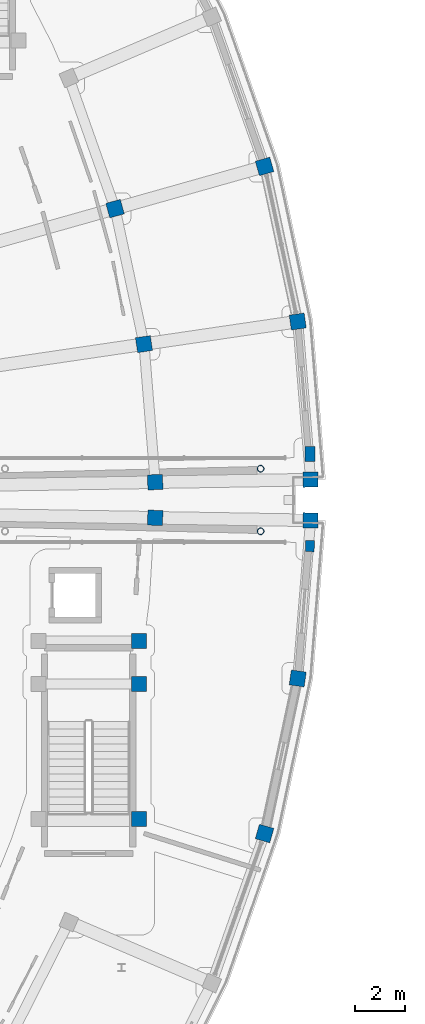
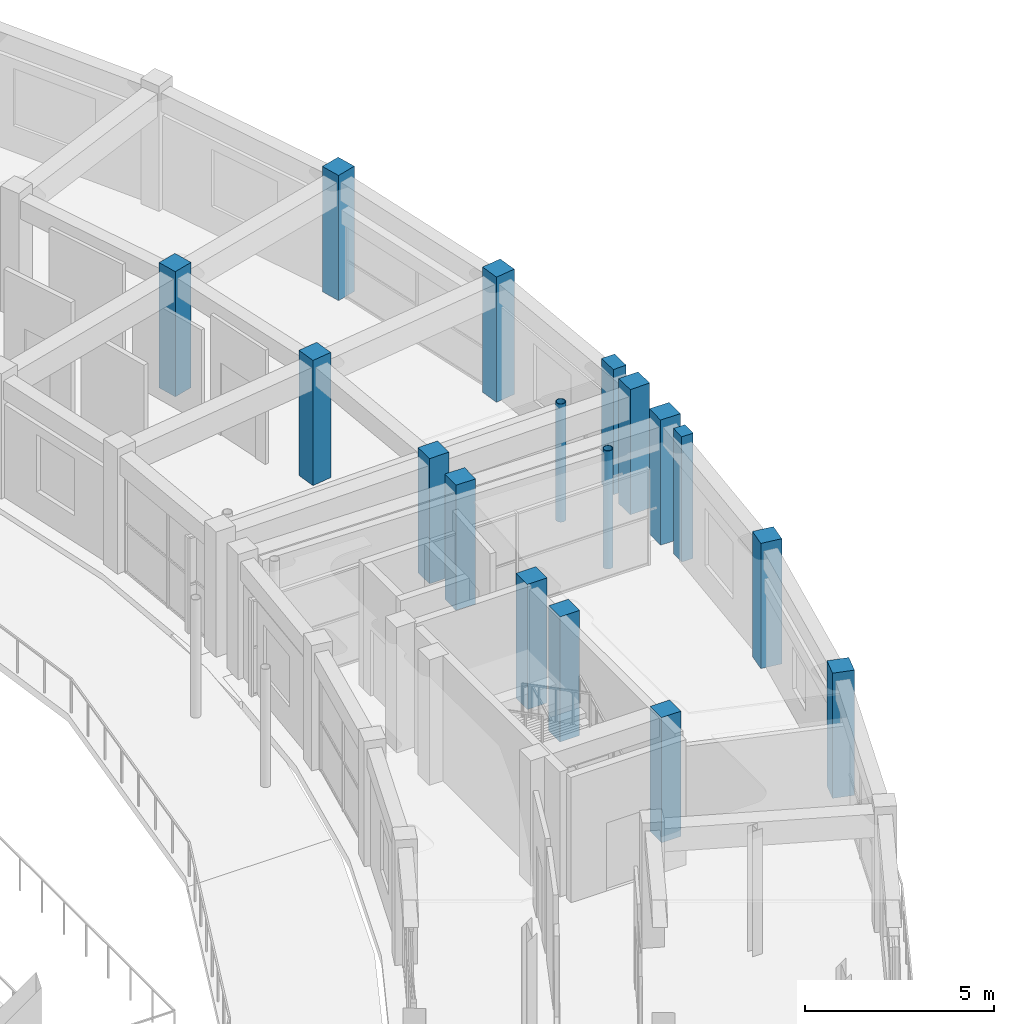
# One storey, part 9 of 83: 17 columns.
"""IFC4 building model written with IfcOpenShell, lengths in metres."""

import ifcopenshell
import ifcopenshell.guid

model = None  # the IFC model being written
_history = None  # IfcOwnerHistory: only IFC2X3 demands one
_inside = {}  # id of a spatial element -> (the spatial element, [elements in it])
_under = {}  # id of a project, library or spatial element -> (it, [spatial elements below it])
_declared = {}  # id of a project -> (the project, [libraries it declares])
_typed = {}  # id of a type object -> (the type object, [elements of that type])
_made_of = {}  # id of a material, layer set ... -> (it, [elements and type objects made of it])


def new_model(schema):
    """Start an empty IFC model of exactly this schema.

    Asked for "IFC4X3", IfcOpenShell would pick the latest addendum, in which some entities
    have other attributes; the version numbers below select the first issue.
    IFC2X3 requires an IfcOwnerHistory on every rooted entity: one is made here for all.
    """
    global model, _history
    if schema == "IFC4X3":
        model = ifcopenshell.file(schema_version=(4, 3, 0, 0))
    else:
        model = ifcopenshell.file(schema=schema)
    _inside.clear()
    _under.clear()
    _declared.clear()
    _typed.clear()
    _made_of.clear()
    _history = None
    if model.schema == "IFC2X3":
        org = make("IfcOrganization", Name="unknown")
        user = make(
            "IfcPersonAndOrganization",
            ThePerson=make("IfcPerson", FamilyName="unknown"),
            TheOrganization=org,
        )
        app = make(
            "IfcApplication",
            ApplicationDeveloper=org,
            Version="unknown",
            ApplicationFullName="unknown",
            ApplicationIdentifier="unknown",
        )
        _history = make(
            "IfcOwnerHistory",
            OwningUser=user,
            OwningApplication=app,
            ChangeAction="ADDED",
            CreationDate=0,
        )
    return model


def make(cls, **values):
    """One entity of the class cls with the attributes given. An attribute that is None is left unset."""
    return model.create_entity(
        cls, **{name: value for name, value in values.items() if value is not None}
    )


def rooted(cls, **values):
    """An entity with a GlobalId (a new one), such as an element, a storey or a relation."""
    return make(cls, GlobalId=ifcopenshell.guid.new(), OwnerHistory=_history, **values)


def si_unit(unit_type, name, prefix=None):
    """IfcSIUnit, for example si_unit("LENGTHUNIT", "METRE", prefix="MILLI")."""
    return make("IfcSIUnit", UnitType=unit_type, Prefix=prefix, Name=name)


def assignment(units):
    """IfcUnitAssignment: the units of a project."""
    return None if units is None else make("IfcUnitAssignment", Units=units)


def point(xyz):
    """IfcCartesianPoint."""
    return None if xyz is None else make("IfcCartesianPoint", Coordinates=xyz)


def direction(xyz):
    """IfcDirection."""
    return None if xyz is None else make("IfcDirection", DirectionRatios=xyz)


def frame(location, z_axis=None, x_axis=None):
    """IfcAxis2Placement3D, a coordinate frame: its origin and axes. An axis left out is left unset."""
    return make(
        "IfcAxis2Placement3D",
        Location=point(location),
        Axis=direction(z_axis),
        RefDirection=direction(x_axis),
    )


def frame_2d(location, x_axis=None):
    """IfcAxis2Placement2D, a coordinate frame in the plane: its origin and x axis."""
    return make(
        "IfcAxis2Placement2D", Location=point(location), RefDirection=direction(x_axis)
    )


def origin():
    """The frame at (0, 0, 0) with its axes left unset."""
    return frame((0.0, 0.0, 0.0))


def origin_2d():
    """The frame at (0, 0) in the plane with its x axis left unset."""
    return frame_2d((0.0, 0.0))


def place(relative_to, where):
    """IfcLocalPlacement: puts the frame where relative to a parent placement (None: the world)."""
    return make(
        "IfcLocalPlacement", PlacementRelTo=relative_to, RelativePlacement=where
    )


def context(
    kind, dimensions, precision=None, world=None, true_north=None, identifier=None
):
    """IfcGeometricRepresentationContext, for example the 3D "Model" context."""
    return make(
        "IfcGeometricRepresentationContext",
        ContextIdentifier=identifier,
        ContextType=kind,
        CoordinateSpaceDimension=dimensions,
        Precision=precision,
        WorldCoordinateSystem=world,
        TrueNorth=true_north,
    )


def subcontext(parent, identifier, kind, view, scale=None):
    """IfcGeometricRepresentationSubContext, for example "Body" below "Model"."""
    return make(
        "IfcGeometricRepresentationSubContext",
        ContextIdentifier=identifier,
        ContextType=kind,
        ParentContext=parent,
        TargetScale=scale,
        TargetView=view,
    )


def project(units=None, contexts=None):
    """IfcProject with its units and contexts."""
    return rooted(
        "IfcProject",
        Name="project",
        RepresentationContexts=contexts,
        UnitsInContext=assignment(units),
    )


def spatial(cls, under=None, at=None, **own):
    """A site, building, storey or space (cls), placed at a placement, below another one or the project."""
    s = rooted(cls, ObjectPlacement=at, **own)
    if under is not None:
        _under.setdefault(under.id(), (under, []))[1].append(s)
    return s


def profile(cls, at=None, kind="AREA", **sizes):
    """A parametric profile (cls). Its sizes go by their IFC names, for example OverallWidth=200.0."""
    return make(cls, ProfileType=kind, Position=at, **sizes)


def rectangle(**sizes):
    """IfcRectangleProfileDef."""
    return profile("IfcRectangleProfileDef", **sizes)


def hollow_circle(**sizes):
    """IfcCircleHollowProfileDef."""
    return profile("IfcCircleHollowProfileDef", **sizes)


def extrude(swept, where, along, depth):
    """IfcExtrudedAreaSolid: the profile swept, set in the frame where, extruded along a direction by depth."""
    return make(
        "IfcExtrudedAreaSolid",
        SweptArea=swept,
        Position=where,
        ExtrudedDirection=direction(along),
        Depth=depth,
    )


def shape(context_of_items, identifier, shape_type, items):
    """IfcShapeRepresentation: the items that make up one representation, for example the "Body"."""
    return make(
        "IfcShapeRepresentation",
        ContextOfItems=context_of_items,
        RepresentationIdentifier=identifier,
        RepresentationType=shape_type,
        Items=items,
    )


def material(Name=None, Category=None):
    """IfcMaterial."""
    return make("IfcMaterial", Name=Name, Category=Category)


def material_profile(
    of_material, cross_section, Name=None, Category=None, Priority=None
):
    """IfcMaterialProfile: a cross section and its material."""
    return make(
        "IfcMaterialProfile",
        Name=Name,
        Material=of_material,
        Profile=cross_section,
        Priority=Priority,
        Category=Category,
    )


def profile_set(profiles, Name=None, composite=None):
    """IfcMaterialProfileSet."""
    return make(
        "IfcMaterialProfileSet",
        Name=Name,
        MaterialProfiles=profiles,
        CompositeProfile=composite,
    )


def made_of(thing, what):
    """Note that an element or type object is made of a material, layer set ...; save() writes the relation."""
    if what is not None:
        _made_of.setdefault(what.id(), (what, []))[1].append(thing)
    return thing


def type_object(cls, material=None, **own):
    """A type object (cls), such as IfcWallType, which elements share."""
    return made_of(rooted(cls, **own), material)


def element(
    cls,
    number,
    at=None,
    inside=None,
    cuts=None,
    type_object=None,
    material=None,
    context=None,
    identifier="Body",
    shape_type=None,
    held_by="IfcProductDefinitionShape",
    body=None,
    shapes=None,
    **own,
):
    """One element of the class cls, such as IfcWall. Its Tag is "e" and its number.

    at: its placement. inside: the storey or other place that contains it. cuts: it is an
    opening in that element (IfcRelVoidsElement). A single representation is given by context,
    identifier, shape_type and body (its items); several are given by shapes. held_by: the class
    of the entity that holds the representations. save() writes the other relations.
    """
    e = rooted(cls, Tag="e%d" % number, ObjectPlacement=at, **own)
    if body is not None:
        shapes = [shape(context, identifier, shape_type, body)]
    if shapes is not None:
        e.Representation = make(held_by, Representations=shapes)
    if inside is not None:
        _inside.setdefault(inside.id(), (inside, []))[1].append(e)
    if cuts is not None:
        rooted(
            "IfcRelVoidsElement", RelatingBuildingElement=cuts, RelatedOpeningElement=e
        )
    if type_object is not None:
        _typed.setdefault(type_object.id(), (type_object, []))[1].append(e)
    return made_of(e, material)


def aggregate(whole, parts):
    """IfcRelAggregates: a whole, such as a stair, and the parts it consists of."""
    return rooted("IfcRelAggregates", RelatingObject=whole, RelatedObjects=parts)


def save(model, path):
    """Write the relations noted so far, then the file.

    IfcRelAggregates (storeys below a building ...), IfcRelContainedInSpatialStructure (elements
    in a storey), IfcRelDefinesByType, IfcRelAssociatesMaterial and IfcRelDeclares: one each for
    every whole, place, type object, material and project.
    """
    for whole, parts in _under.values():
        aggregate(whole, parts)
    for where, things in _inside.values():
        rooted(
            "IfcRelContainedInSpatialStructure",
            RelatedElements=things,
            RelatingStructure=where,
        )
    for kind, things in _typed.values():
        rooted("IfcRelDefinesByType", RelatedObjects=things, RelatingType=kind)
    for what, things in _made_of.values():
        rooted("IfcRelAssociatesMaterial", RelatedObjects=things, RelatingMaterial=what)
    for by, libraries in _declared.values():
        rooted("IfcRelDeclares", RelatingContext=by, RelatedDefinitions=libraries)
    model.write(path)


model = new_model("IFC4")

# Units and contexts
model_context = context("Model", 3, precision=1e-05, world=origin(), true_north=direction((0.0, 1.0)))
body_context = subcontext(model_context, "Body", "Model", "MODEL_VIEW")
ifc_project = project(units=[si_unit("LENGTHUNIT", "METRE"), si_unit("AREAUNIT", "SQUARE_METRE"), si_unit("VOLUMEUNIT", "CUBIC_METRE"), si_unit("PLANEANGLEUNIT", "RADIAN"), si_unit("MASSUNIT", "GRAM", prefix="KILO")], contexts=[model_context])

# Site, building, storey
site_placement = place(None, origin())
site = spatial("IfcSite", under=ifc_project, at=site_placement, CompositionType="ELEMENT")
building_placement = place(site_placement, origin())
building = spatial("IfcBuilding", under=site, at=building_placement, Name="Saryqyr Civic Hall", CompositionType="ELEMENT")
storey_placement = place(building_placement, frame((0.0, 0.0, 9.14990234375)))
storey = spatial("IfcBuildingStorey", under=building, at=storey_placement, Name="L02", CompositionType="ELEMENT", Elevation=9.14990234375)

# Columns
ifc_material_1 = material(Name="Steel S355", Category="steel")
ifc_material_profile_1 = material_profile(ifc_material_1, hollow_circle(Radius=0.136474609375, WallThickness=0.01611328125, at=origin_2d()), Name="CHS 273x16")
ifc_profile_set_1 = profile_set([ifc_material_profile_1], Name="Steel S355")
column_type_1 = type_object("IfcColumnType", Name="STR-COL-CHS273-S355", PredefinedType="COLUMN", material=ifc_profile_set_1)
for number, where, z_axis, x_axis, name in (
    (1, (104.0, 82.75, 0.0), (0.0, 0.0, 1.0), (1.0, 0.0, 0.0), "Column BRCOL-BR-E-2-L02"),
    (2, (104.0, 85.25, 0.0), (0.0, 0.0, 1.0), (1.0, 0.0, 0.0), "Column BRCOL-BR-E-3-L02"),
):
    element("IfcColumn", number, at=place(storey_placement, frame(where, z_axis=z_axis, x_axis=x_axis)), inside=storey, type_object=column_type_1, Name=name, PredefinedType="COLUMN", context=body_context, shape_type="SweptSolid", body=[
        extrude(hollow_circle(Radius=0.136474609375, WallThickness=0.01611328125, at=origin_2d()), origin(), (0.0, 0.0, 1.0), 3.820068359375),
    ])
ifc_material_2 = material(Name="Concrete C40/50", Category="concrete")
ifc_material_profile_2 = material_profile(ifc_material_2, rectangle(XDim=0.60009765625, YDim=0.60009765625, at=origin_2d()), Name="RC 600x600")
ifc_profile_set_2 = profile_set([ifc_material_profile_2], Name="Concrete C40/50")
column_type_2 = type_object("IfcColumnType", Name="STR-COL-RC600-C40", PredefinedType="COLUMN", material=ifc_profile_set_2)
for number, where, z_axis, x_axis, name in (
    (3, (104.157958984375, 70.691162109375, 0.0), (0.0, 0.0, 1.0), (0.962407846499, -0.271608425858, 0.0), "Column V5-COL-OUT08-L02"),
    (4, (105.47998046875, 76.8798828125, 0.0), (0.0, 0.0, 1.0), (0.989374077068, -0.145392350643, 0.0), "Column V5-COL-OUT09-L02"),
    (5, (99.794189453125, 83.290283203125, 0.0), (0.0, 0.0, 1.0), (0.999862544538, -0.016579868188, 0.0), "Column V5-COL-MID10-L02"),
    (6, (105.993408203125, 83.1875, 0.0), (0.0, 0.0, 1.0), (0.999862544538, -0.016579868188, 0.0), "Column V5-COL-OUT10-L02"),
    (7, (99.794189453125, 84.709716796875, 0.0), (0.0, 0.0, 1.0), (0.999862544538, 0.016579868188, 0.0), "Column V6-COL-MID00-L02"),
    (8, (105.993408203125, 84.8125, 0.0), (0.0, 0.0, 1.0), (0.999862544538, 0.016579868188, 0.0), "Column V6-COL-OUT00-L02"),
    (9, (99.345703125, 90.218994140625, 0.0), (0.0, 0.0, 1.0), (0.989399437751, 0.145219670077, 0.0), "Column V6-COL-MID01-L02"),
    (10, (105.47998046875, 91.1201171875, 0.0), (0.0, 0.0, 1.0), (0.989399437751, 0.145219670077, 0.0), "Column V6-COL-OUT01-L02"),
    (11, (98.191162109375, 95.624755859375, 0.0), (0.0, 0.0, 1.0), (0.962407846499, 0.271608425858, 0.0), "Column V6-COL-MID02-L02"),
    (12, (104.157958984375, 97.308837890625, 0.0), (0.0, 0.0, 1.0), (0.962407846499, 0.271608425858, 0.0), "Column V6-COL-OUT02-L02"),
    (13, (99.139892578125, 71.27490234375, 0.0), (0.0, 0.0, 1.0), (1.0, 0.0, 0.0), "Column ST-5-SCOL-TRMA-L02"),
    (14, (99.139892578125, 76.64990234375, 0.0), (0.0, 0.0, 1.0), (1.0, 0.0, 0.0), "Column ST-5-SCOL-LND1A-L02"),
    (15, (99.139892578125, 78.3798828125, 0.0), (0.0, 0.0, 1.0), (1.0, 0.0, 0.0), "Column ST-5-SCOL-LND2A-L02"),
):
    element("IfcColumn", number, at=place(storey_placement, frame(where, z_axis=z_axis, x_axis=x_axis)), inside=storey, type_object=column_type_2, Name=name, PredefinedType="COLUMN", context=body_context, shape_type="SweptSolid", body=[
        extrude(rectangle(XDim=0.60009765625, YDim=0.60009765625, at=origin_2d()), origin(), (0.0, 0.0, 1.0), 4.050048828125),
    ])
ifc_material_3 = material(Name="Concrete C35/45", Category="concrete")
ifc_material_profile_3 = material_profile(ifc_material_3, rectangle(XDim=0.35009765625, YDim=0.449951171875, at=origin_2d()), Name="RC 350x450")
ifc_profile_set_3 = profile_set([ifc_material_profile_3], Name="Concrete C35/45")
column_type_3 = type_object("IfcColumnType", Name="STR-PIL-RC350x450-EXT", PredefinedType="PILASTER", material=ifc_profile_set_3)
column_1_placement = place(storey_placement, frame((105.965576171875, 82.16162109375, 0.0), z_axis=(0.0, 0.0, 1.0), x_axis=(0.999862544538, -0.016579868188, 0.0)))
element("IfcColumn", 16, at=column_1_placement, inside=storey, type_object=column_type_3, Name="Column V5-PIL-10-L02", PredefinedType="PILASTER", context=body_context, shape_type="SweptSolid", body=[
    extrude(rectangle(XDim=0.35009765625, YDim=0.449951171875, at=origin_2d()), origin(), (0.0, 0.0, 1.0), 4.050048828125),
])
ifc_material_profile_4 = material_profile(ifc_material_2, rectangle(XDim=0.39990234375, YDim=0.60009765625, at=origin_2d()), Name="RC 400x600")
ifc_profile_set_4 = profile_set([ifc_material_profile_4], Name="Concrete C40/50")
column_type_4 = type_object("IfcColumnType", Name="STR-PIL-RC400x600-EXT", PredefinedType="PILASTER", material=ifc_profile_set_4)
column_2_placement = place(storey_placement, frame((105.965576171875, 85.83837890625, 0.0), z_axis=(0.0, 0.0, 1.0), x_axis=(0.999862544538, 0.016579868188, 0.0)))
element("IfcColumn", 17, at=column_2_placement, inside=storey, type_object=column_type_4, Name="Column V6-PIL-00-L02", PredefinedType="PILASTER", context=body_context, shape_type="SweptSolid", body=[
    extrude(rectangle(XDim=0.39990234375, YDim=0.60009765625, at=origin_2d()), origin(), (0.0, 0.0, 1.0), 4.050048828125),
])

save(model, "model.ifc")
